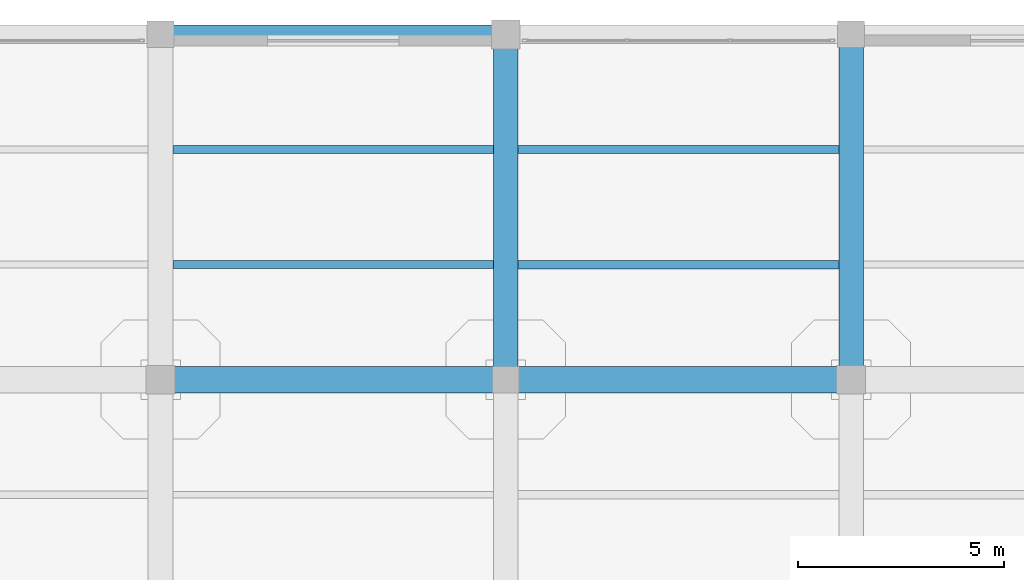
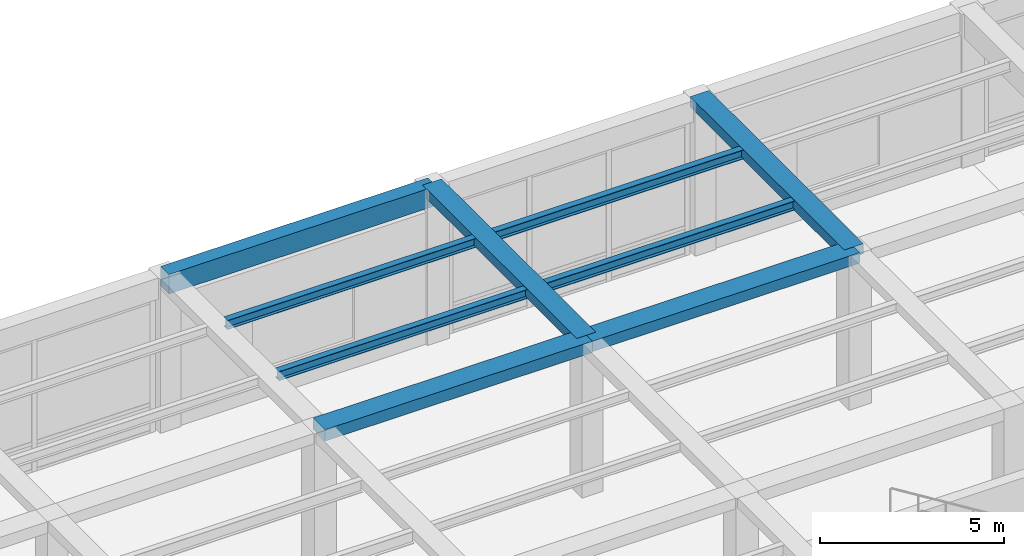
# One storey, part 40 of 95: 9 beams.
"""IFC4 building model written with IfcOpenShell, lengths in metres."""

from ifc_helpers import new_model, si_unit, direction, frame, origin, origin_2d, place, context, subcontext, project, spatial, rectangle, i_section, extrude, material, material_profile, profile_set, type_object, element, save


model = new_model("IFC4")

# Units and contexts
model_context = context("Model", 3, precision=1e-05, world=origin(), true_north=direction((0.0, 1.0)))
body_context = subcontext(model_context, "Body", "Model", "MODEL_VIEW")
ifc_project = project(units=[si_unit("LENGTHUNIT", "METRE"), si_unit("AREAUNIT", "SQUARE_METRE"), si_unit("VOLUMEUNIT", "CUBIC_METRE"), si_unit("PLANEANGLEUNIT", "RADIAN"), si_unit("MASSUNIT", "GRAM", prefix="KILO")], contexts=[model_context])

# Site, building, storey
site_placement = place(None, origin())
site = spatial("IfcSite", under=ifc_project, at=site_placement, CompositionType="ELEMENT")
building_placement = place(site_placement, origin())
building = spatial("IfcBuilding", under=site, at=building_placement, Name="Almacenes y Pasaje Nevantli", CompositionType="ELEMENT")
storey_placement = place(building_placement, frame((0.0, 0.0, 11.39990234375)))
storey = spatial("IfcBuildingStorey", under=building, at=storey_placement, Name="L03", CompositionType="ELEMENT", Elevation=11.39990234375)

# Beams
ifc_material_1 = material(Name="Concrete C35/45", Category="concrete")
ifc_material_profile_1 = material_profile(ifc_material_1, rectangle(XDim=0.449951171875, YDim=0.64990234375, at=origin_2d()), Name="RC-BM-450x650")
ifc_profile_set_1 = profile_set([ifc_material_profile_1], Name="Concrete C35/45")
beam_type_1 = type_object("IfcBeamType", Name="BM-RC-450x650", PredefinedType="SPANDREL", material=ifc_profile_set_1)
beam_1_placement = place(storey_placement, frame((42.0, 117.60009765625, 4.775146484375), z_axis=(1.0, 0.0, 0.0), x_axis=(0.0, 1.0, 0.0)))
element("IfcBeam", 1, at=beam_1_placement, inside=storey, type_object=beam_type_1, Name="L03 East-West Reinforced Concrete Beam #2465", PredefinedType="SPANDREL", context=body_context, shape_type="SweptSolid", body=[
    extrude(rectangle(XDim=0.449951171875, YDim=0.64990234375, at=origin_2d()), origin(), (0.0, 0.0, 1.0), 8.39990234375),
])
ifc_material_2 = material(Name="Concrete C35/45", Category="concrete")
ifc_material_profile_2 = material_profile(ifc_material_2, rectangle(XDim=0.60009765625, YDim=0.320068359375, at=origin_2d()), Name="RC-BM-600x320")
ifc_profile_set_2 = profile_set([ifc_material_profile_2], Name="Concrete C35/45")
beam_type_2 = type_object("IfcBeamType", Name="BM-RC-600x320", PredefinedType="BEAM", material=ifc_profile_set_2)
beam_2_placement = place(storey_placement, frame((50.39990234375, 109.199951171875, 4.940185546875), z_axis=(0.0, 1.0, 0.0), x_axis=(-1.0, 0.0, 0.0)))
element("IfcBeam", 2, at=beam_2_placement, inside=storey, type_object=beam_type_2, Name="L03 North-South Reinforced Concrete Beam #2554", PredefinedType="BEAM", context=body_context, shape_type="SweptSolid", body=[
    extrude(rectangle(XDim=0.60009765625, YDim=0.320068359375, at=origin_2d()), origin(), (0.0, 0.0, 1.0), 8.400146484375),
])
ifc_material_3 = material(Name="Concrete C35/45", Category="concrete")
ifc_material_profile_3 = material_profile(ifc_material_3, rectangle(XDim=0.60009765625, YDim=0.340087890625, at=origin_2d()), Name="RC-BM-600x340")
ifc_profile_set_3 = profile_set([ifc_material_profile_3], Name="Concrete C35/45")
beam_type_3 = type_object("IfcBeamType", Name="BM-RC-600x340", PredefinedType="BEAM", material=ifc_profile_set_3)
beam_3_placement = place(storey_placement, frame((58.800048828125, 109.199951171875, 4.93017578125), z_axis=(0.0, 1.0, 0.0), x_axis=(-1.0, 0.0, 0.0)))
element("IfcBeam", 3, at=beam_3_placement, inside=storey, type_object=beam_type_3, Name="L03 North-South Reinforced Concrete Beam #2567", PredefinedType="BEAM", context=body_context, shape_type="SweptSolid", body=[
    extrude(rectangle(XDim=0.60009765625, YDim=0.340087890625, at=origin_2d()), origin(), (0.0, 0.0, 1.0), 8.400146484375),
])
ifc_material_4 = material(Name="Concrete C35/45", Category="concrete")
ifc_material_profile_4 = material_profile(ifc_material_4, rectangle(XDim=0.64990234375, YDim=0.35009765625, at=origin_2d()), Name="RC-BM-650x350")
ifc_profile_set_4 = profile_set([ifc_material_profile_4], Name="Concrete C35/45")
beam_type_4 = type_object("IfcBeamType", Name="BM-RC-650x350", PredefinedType="BEAM", material=ifc_profile_set_4)
beam_4_placement = place(storey_placement, frame((50.39990234375, 109.199951171875, 4.925048828125), z_axis=(1.0, 0.0, 0.0), x_axis=(0.0, 1.0, 0.0)))
element("IfcBeam", 4, at=beam_4_placement, inside=storey, type_object=beam_type_4, Name="L03 East-West Reinforced Concrete Beam #2449", PredefinedType="BEAM", context=body_context, shape_type="SweptSolid", body=[
    extrude(rectangle(XDim=0.64990234375, YDim=0.35009765625, at=origin_2d()), origin(), (0.0, 0.0, 1.0), 8.400146484375),
])
ifc_material_5 = material(Name="Concrete C35/45", Category="concrete")
ifc_material_profile_5 = material_profile(ifc_material_5, rectangle(XDim=0.64990234375, YDim=0.3798828125, at=origin_2d()), Name="RC-BM-650x380")
ifc_profile_set_5 = profile_set([ifc_material_profile_5], Name="Concrete C35/45")
beam_type_5 = type_object("IfcBeamType", Name="BM-RC-650x380", PredefinedType="BEAM", material=ifc_profile_set_5)
beam_5_placement = place(storey_placement, frame((42.0, 109.199951171875, 4.91015625), z_axis=(1.0, 0.0, 0.0), x_axis=(0.0, 1.0, 0.0)))
element("IfcBeam", 5, at=beam_5_placement, inside=storey, type_object=beam_type_5, Name="L03 East-West Reinforced Concrete Beam #2448", PredefinedType="BEAM", context=body_context, shape_type="SweptSolid", body=[
    extrude(rectangle(XDim=0.64990234375, YDim=0.3798828125, at=origin_2d()), origin(), (0.0, 0.0, 1.0), 8.39990234375),
])
ifc_material_6 = material(Name="Steel ASTM A992", Category="steel")
ifc_material_profile_6 = material_profile(ifc_material_6, i_section(OverallWidth=0.202880859375, OverallDepth=0.304931640625, WebThickness=0.007568359375, FlangeThickness=0.01318359375, at=origin_2d()), Name="IR 305x59.5")
ifc_profile_set_6 = profile_set([ifc_material_profile_6], Name="Steel ASTM A992")
beam_type_6 = type_object("IfcBeamType", Name="BM-STL-IR-305x59p5", PredefinedType="JOIST", material=ifc_profile_set_6)
for number, where, z_axis, x_axis, name in (
    (6, (42.300048828125, 112.0, 4.939697265625), (1.0, 0.0, 0.0), (0.0, 1.0, 0.0), "L03 Secondary Steel Floor Joist #751"),
    (7, (42.300048828125, 114.800048828125, 4.939697265625), (1.0, 0.0, 0.0), (0.0, 1.0, 0.0), "L03 Secondary Steel Floor Joist #752"),
):
    element("IfcBeam", number, at=place(storey_placement, frame(where, z_axis=z_axis, x_axis=x_axis)), inside=storey, type_object=beam_type_6, Name=name, PredefinedType="JOIST", context=body_context, shape_type="SweptSolid", body=[
        extrude(i_section(OverallWidth=0.202880859375, OverallDepth=0.304931640625, WebThickness=0.007568359375, FlangeThickness=0.01318359375, at=origin_2d()), origin(), (0.0, 0.0, 1.0), 7.800048828125),
    ])
ifc_material_7 = material(Name="Steel ASTM A992", Category="steel")
ifc_material_profile_7 = material_profile(ifc_material_7, i_section(OverallWidth=0.205078125, OverallDepth=0.31005859375, WebThickness=0.009521484375, FlangeThickness=0.016357421875, at=origin_2d()), Name="IR 305x74.4")
ifc_profile_set_7 = profile_set([ifc_material_profile_7], Name="Steel ASTM A992")
beam_type_7 = type_object("IfcBeamType", Name="BM-STL-IR-305x74p4", PredefinedType="JOIST", material=ifc_profile_set_7)
for number, where, z_axis, x_axis, name in (
    (8, (50.699951171875, 112.0, 4.93701171875), (1.0, 0.0, 0.0), (0.0, 1.0, 0.0), "L03 Secondary Steel Floor Joist #767"),
    (9, (50.699951171875, 114.800048828125, 4.93701171875), (1.0, 0.0, 0.0), (0.0, 1.0, 0.0), "L03 Secondary Steel Floor Joist #768"),
):
    element("IfcBeam", number, at=place(storey_placement, frame(where, z_axis=z_axis, x_axis=x_axis)), inside=storey, type_object=beam_type_7, Name=name, PredefinedType="JOIST", context=body_context, shape_type="SweptSolid", body=[
        extrude(i_section(OverallWidth=0.205078125, OverallDepth=0.31005859375, WebThickness=0.009521484375, FlangeThickness=0.016357421875, at=origin_2d()), origin(), (0.0, 0.0, 1.0), 7.800048828125),
    ])

save(model, "model.ifc")
